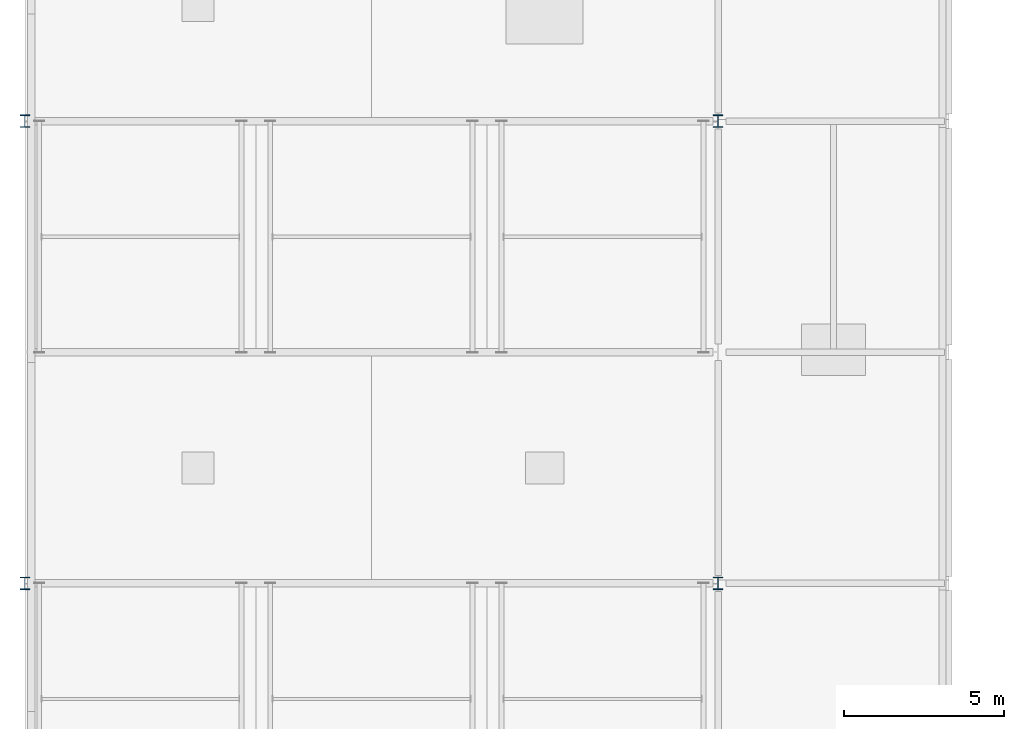
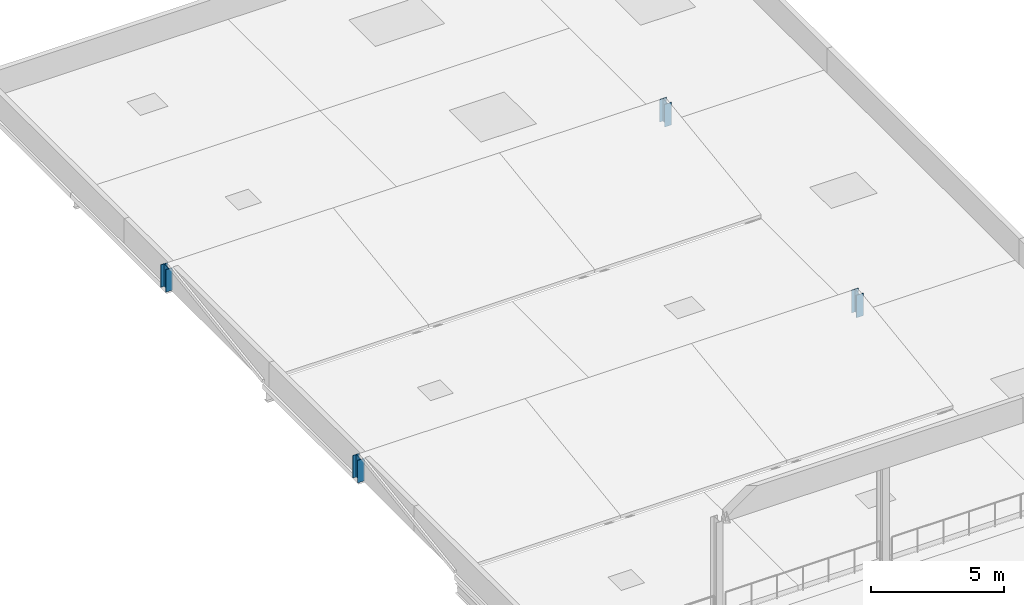
# One storey, part 3 of 32: 4 columns.
"""IFC4 building model written with IfcOpenShell, lengths in metres."""

from ifc_helpers import new_model, si_unit, direction, frame, origin, origin_2d, place, context, subcontext, project, spatial, i_section, extrude, material, material_profile, profile_set, type_object, element, save


model = new_model("IFC4")

# Units and contexts
model_context = context("Model", 3, precision=1e-05, world=origin(), true_north=direction((0.0, 1.0)))
body_context = subcontext(model_context, "Body", "Model", "MODEL_VIEW")
ifc_project = project(units=[si_unit("LENGTHUNIT", "METRE"), si_unit("AREAUNIT", "SQUARE_METRE"), si_unit("VOLUMEUNIT", "CUBIC_METRE"), si_unit("PLANEANGLEUNIT", "RADIAN"), si_unit("MASSUNIT", "GRAM", prefix="KILO")], contexts=[model_context])

# Site, building, storey
site_placement = place(None, origin())
site = spatial("IfcSite", under=ifc_project, at=site_placement, CompositionType="ELEMENT")
building_placement = place(site_placement, origin())
building = spatial("IfcBuilding", under=site, at=building_placement, Name="Sardonyx Promenade Sports Hall", CompositionType="ELEMENT")
storey_placement = place(building_placement, frame((0.0, 0.0, 20.39990234375)))
storey = spatial("IfcBuildingStorey", under=building, at=storey_placement, Name="L04", CompositionType="ELEMENT", Elevation=20.39990234375)

# Columns
ifc_material = material(Name="Steel S355JR", Category="steel")
ifc_material_profile = material_profile(ifc_material, i_section(OverallWidth=0.300048828125, OverallDepth=0.389892578125, WebThickness=0.010986328125, FlangeThickness=0.01904296875, at=origin_2d()))
ifc_profile_set = profile_set([ifc_material_profile], Name="Steel S355JR")
column_type = type_object("IfcColumnType", Name="Col_Ext_HEA400", PredefinedType="COLUMN", material=ifc_profile_set)
for number, where, z_axis, x_axis, name in (
    (1, (0.0, 43.199951171875, 0.0), (0.0, 0.0, 1.0), (1.0, 0.0, 0.0), "Clerestory post L04 (0.0,43.2)"),
    (2, (21.60009765625, 43.199951171875, 0.0), (0.0, 0.0, 1.0), (1.0, 0.0, 0.0), "Clerestory post L04 (21.6,43.2)"),
    (3, (0.0, 57.60009765625, 0.0), (0.0, 0.0, 1.0), (1.0, 0.0, 0.0), "Clerestory post L04 (0.0,57.6)"),
    (4, (21.60009765625, 57.60009765625, 0.0), (0.0, 0.0, 1.0), (1.0, 0.0, 0.0), "Clerestory post L04 (21.6,57.6)"),
):
    element("IfcColumn", number, at=place(storey_placement, frame(where, z_axis=z_axis, x_axis=x_axis)), inside=storey, type_object=column_type, Name=name, PredefinedType="COLUMN", context=body_context, shape_type="SweptSolid", body=[
        extrude(i_section(OverallWidth=0.300048828125, OverallDepth=0.389892578125, WebThickness=0.010986328125, FlangeThickness=0.01904296875, at=origin_2d()), origin(), (0.0, 0.0, 1.0), 1.031982421875),
    ])

save(model, "model.ifc")
